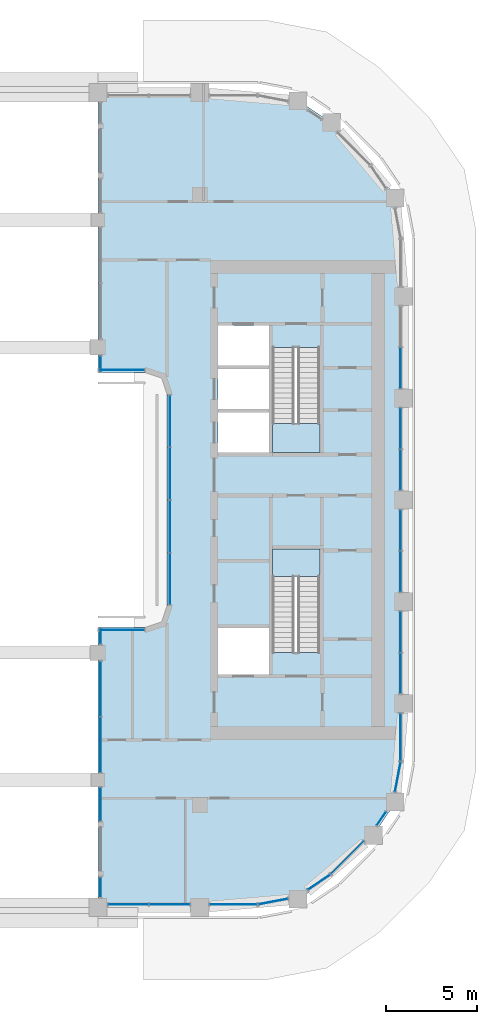
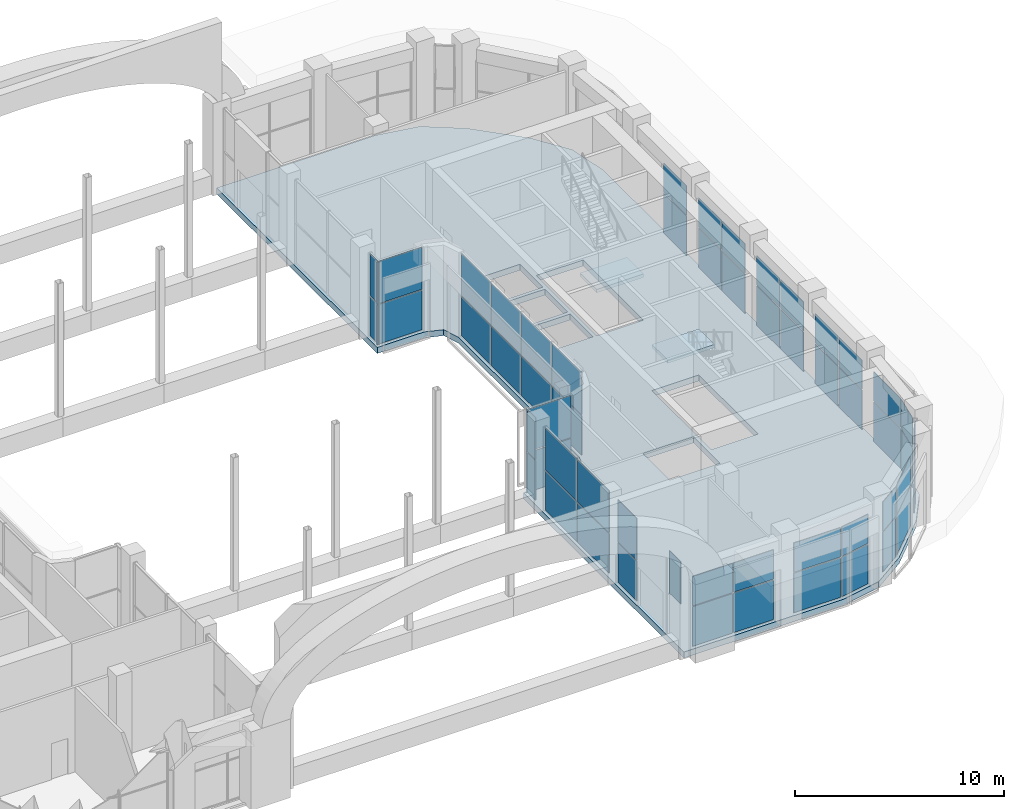
# One storey, part 13 of 28: 55 plates, 3 slabs, 22 elements without a shape of their own.
"""IFC4 building model written with IfcOpenShell, lengths in metres."""

from ifc_helpers import new_model, si_unit, direction, frame, origin, origin_2d, place, context, subcontext, project, spatial, polyline, rectangle, outline, extrude, material, layer, layer_set, type_object, element, aggregate, save


model = new_model("IFC4")

# Units and contexts
model_context = context("Model", 3, precision=1e-05, world=origin(), true_north=direction((0.0, 1.0)))
body_context = subcontext(model_context, "Body", "Model", "MODEL_VIEW")
ifc_project = project(units=[si_unit("LENGTHUNIT", "METRE"), si_unit("AREAUNIT", "SQUARE_METRE"), si_unit("VOLUMEUNIT", "CUBIC_METRE"), si_unit("PLANEANGLEUNIT", "RADIAN"), si_unit("MASSUNIT", "GRAM", prefix="KILO")], contexts=[model_context])

# Site, building, storey
site_placement = place(None, origin())
site = spatial("IfcSite", under=ifc_project, at=site_placement, CompositionType="ELEMENT")
building_placement = place(site_placement, origin())
building = spatial("IfcBuilding", under=site, at=building_placement, Name="Kiln Ring Residences", CompositionType="ELEMENT")
storey_placement = place(building_placement, frame((0.0, 0.0, 178.10009765625)))
storey = spatial("IfcBuildingStorey", under=building, at=storey_placement, Name="L46", CompositionType="ELEMENT", Elevation=178.10009765625)

# Stair, slab
ifc_material_1 = material(Name="Concrete C40/50", Category="concrete")
stair_type = type_object("IfcStairType", Name="CORE-STAIR", PredefinedType="HALF_TURN_STAIR", material=ifc_material_1)
placement_1 = place(storey_placement, origin())
stair_1 = element("IfcStair", 1, at=placement_1, inside=storey, type_object=stair_type, Name="L46 stair E-STN", PredefinedType="HALF_TURN_STAIR")
ifc_material_2 = material(Name="Concrete C40/50", Category="concrete")
ifc_layer_1 = layer(ifc_material_2, 0.199951171875)
ifc_layer_set_1 = layer_set([ifc_layer_1], Name="CORE-STAIR-LANDING")
slab_type_1 = type_object("IfcSlabType", Name="CORE-STAIR-LANDING", PredefinedType="LANDING", material=ifc_layer_set_1)
placement_2 = place(storey_placement, frame((0.0, 0.0, 2.5)))
slab_1 = element("IfcSlab", 2, at=placement_2, type_object=slab_type_1, Name="E-STN landing 1", PredefinedType="LANDING", context=body_context, shape_type="SweptSolid", body=[
    extrude(outline(polyline([(20.800048828125, 4.199951171875), (20.800048828125, 2.60009765625), (23.39990234375, 2.60009765625), (23.39990234375, 4.199951171875), (20.800048828125, 4.199951171875)])), origin(), (0.0, 0.0, 1.0), 0.199951171875),
])
aggregate(stair_1, [slab_1])

stair_2 = element("IfcStair", 3, at=placement_1, inside=storey, type_object=stair_type, Name="L46 stair E-STS", PredefinedType="HALF_TURN_STAIR")
slab_2 = element("IfcSlab", 4, at=placement_2, type_object=slab_type_1, Name="E-STS landing 1", PredefinedType="LANDING", context=body_context, shape_type="SweptSolid", body=[
    extrude(outline(polyline([(23.39990234375, -4.199951171875), (23.39990234375, -2.699951171875), (20.800048828125, -2.699951171875), (20.800048828125, -4.199951171875), (23.39990234375, -4.199951171875)])), origin(), (0.0, 0.0, 1.0), 0.199951171875),
])
aggregate(stair_2, [slab_2])

# Curtain wall, plates
ifc_material_3 = material(Name="Aluminium and glass", Category="aluminium")
ifc_layer_2 = layer(ifc_material_3, 0.199951171875)
ifc_layer_set_2 = layer_set([ifc_layer_2], Name="CW1 CURTAIN WALL")
curtain_wall_type = type_object("IfcCurtainWallType", Name="CW1 CURTAIN WALL", PredefinedType="NOTDEFINED", material=ifc_layer_set_2)
curtain_wall_1 = element("IfcCurtainWall", 5, at=placement_1, inside=storey, type_object=curtain_wall_type, Name="Curtain wall CW1 L46", PredefinedType="NOTDEFINED")
ifc_material_4 = material(Name="Glass, low-e laminated", Category="glass")
ifc_layer_3 = layer(ifc_material_4, 0.028076171875)
ifc_layer_set_3 = layer_set([ifc_layer_3], Name="CW1 PANEL 28")
plate_type = type_object("IfcPlateType", Name="CW1 PANEL 28", PredefinedType="CURTAIN_PANEL", material=ifc_layer_set_3)
plate_1_placement = place(storey_placement, frame((12.5, -7.14990234375, 0.059814453125), z_axis=(0.0, 0.0, 1.0), x_axis=(-1.0, 0.0, 0.0)))
plate_1 = element("IfcPlate", 6, at=plate_1_placement, type_object=plate_type, Name="CW1 panel 1.1", PredefinedType="CURTAIN_PANEL", context=body_context, shape_type="SweptSolid", body=[
    extrude(rectangle(XDim=2.47998046875, YDim=0.028076171875, at=origin_2d()), origin(), (0.0, 0.0, 1.0), 2.31005859375),
])
plate_2_placement = place(storey_placement, frame((12.5, -7.14990234375, 2.429931640625), z_axis=(0.0, 0.0, 1.0), x_axis=(-1.0, 0.0, 0.0)))
plate_2 = element("IfcPlate", 7, at=plate_2_placement, type_object=plate_type, Name="CW1 panel 1.2", PredefinedType="CURTAIN_PANEL", context=body_context, shape_type="SweptSolid", body=[
    extrude(rectangle(XDim=2.47998046875, YDim=0.028076171875, at=origin_2d()), origin(), (0.0, 0.0, 1.0), 2.4599609375),
])
aggregate(curtain_wall_1, [plate_1, plate_2])

curtain_wall_2 = element("IfcCurtainWall", 8, at=placement_1, inside=storey, type_object=curtain_wall_type, Name="Curtain wall CW1 L46", PredefinedType="NOTDEFINED")
plate_3_placement = place(storey_placement, frame((11.35009765625, -7.487548828125, 0.059814453125), z_axis=(0.0, 0.0, 1.0), x_axis=(0.0, -1.0, 0.0)))
plate_3 = element("IfcPlate", 9, at=plate_3_placement, type_object=plate_type, Name="CW1 panel 1.1", PredefinedType="CURTAIN_PANEL", context=body_context, shape_type="SweptSolid", body=[
    extrude(rectangle(XDim=0.85498046875, YDim=0.028076171875, at=origin_2d()), origin(), (0.0, 0.0, 1.0), 2.31005859375),
])
plate_4_placement = place(storey_placement, frame((11.35009765625, -7.487548828125, 2.429931640625), z_axis=(0.0, 0.0, 1.0), x_axis=(0.0, -1.0, 0.0)))
plate_4 = element("IfcPlate", 10, at=plate_4_placement, type_object=plate_type, Name="CW1 panel 1.2", PredefinedType="CURTAIN_PANEL", context=body_context, shape_type="SweptSolid", body=[
    extrude(rectangle(XDim=0.85498046875, YDim=0.028076171875, at=origin_2d()), origin(), (0.0, 0.0, 1.0), 2.4599609375),
])
aggregate(curtain_wall_2, [plate_3, plate_4])

curtain_wall_3 = element("IfcCurtainWall", 11, at=placement_1, inside=storey, type_object=curtain_wall_type, Name="Curtain wall CW1 L46", PredefinedType="NOTDEFINED")
plate_5_placement = place(storey_placement, frame((11.35009765625, -10.389892578125, 0.059814453125), z_axis=(0.0, 0.0, 1.0), x_axis=(0.0, -1.0, 0.0)))
plate_5 = element("IfcPlate", 12, at=plate_5_placement, type_object=plate_type, Name="CW1 panel 1.1", PredefinedType="CURTAIN_PANEL", context=body_context, shape_type="SweptSolid", body=[
    extrude(rectangle(XDim=3.010009765625, YDim=0.028076171875, at=origin_2d()), origin(), (0.0, 0.0, 1.0), 2.31005859375),
])
plate_6_placement = place(storey_placement, frame((11.35009765625, -10.389892578125, 2.429931640625), z_axis=(0.0, 0.0, 1.0), x_axis=(0.0, -1.0, 0.0)))
plate_6 = element("IfcPlate", 13, at=plate_6_placement, type_object=plate_type, Name="CW1 panel 1.2", PredefinedType="CURTAIN_PANEL", context=body_context, shape_type="SweptSolid", body=[
    extrude(rectangle(XDim=3.010009765625, YDim=0.028076171875, at=origin_2d()), origin(), (0.0, 0.0, 1.0), 2.4599609375),
])
plate_7_placement = place(storey_placement, frame((11.35009765625, -13.4599609375, 0.059814453125), z_axis=(0.0, 0.0, 1.0), x_axis=(0.0, -1.0, 0.0)))
plate_7 = element("IfcPlate", 14, at=plate_7_placement, type_object=plate_type, Name="CW1 panel 2.1", PredefinedType="CURTAIN_PANEL", context=body_context, shape_type="SweptSolid", body=[
    extrude(rectangle(XDim=3.010009765625, YDim=0.028076171875, at=origin_2d()), origin(), (0.0, 0.0, 1.0), 2.31005859375),
])
plate_8_placement = place(storey_placement, frame((11.35009765625, -13.4599609375, 2.429931640625), z_axis=(0.0, 0.0, 1.0), x_axis=(0.0, -1.0, 0.0)))
plate_8 = element("IfcPlate", 15, at=plate_8_placement, type_object=plate_type, Name="CW1 panel 2.2", PredefinedType="CURTAIN_PANEL", context=body_context, shape_type="SweptSolid", body=[
    extrude(rectangle(XDim=3.010009765625, YDim=0.028076171875, at=origin_2d()), origin(), (0.0, 0.0, 1.0), 2.4599609375),
])
aggregate(curtain_wall_3, [plate_5, plate_6, plate_7, plate_8])

curtain_wall_4 = element("IfcCurtainWall", 16, at=placement_1, inside=storey, type_object=curtain_wall_type, Name="Curtain wall CW1 L46", PredefinedType="NOTDEFINED")
plate_9_placement = place(storey_placement, frame((11.35009765625, -16.737548828125, 0.059814453125), z_axis=(0.0, 0.0, 1.0), x_axis=(0.0, -1.0, 0.0)))
plate_9 = element("IfcPlate", 17, at=plate_9_placement, type_object=plate_type, Name="CW1 panel 1.1", PredefinedType="CURTAIN_PANEL", context=body_context, shape_type="SweptSolid", body=[
    extrude(rectangle(XDim=1.804931640625, YDim=0.028076171875, at=origin_2d()), origin(), (0.0, 0.0, 1.0), 2.31005859375),
])
plate_10_placement = place(storey_placement, frame((11.35009765625, -16.737548828125, 2.429931640625), z_axis=(0.0, 0.0, 1.0), x_axis=(0.0, -1.0, 0.0)))
plate_10 = element("IfcPlate", 18, at=plate_10_placement, type_object=plate_type, Name="CW1 panel 1.2", PredefinedType="CURTAIN_PANEL", context=body_context, shape_type="SweptSolid", body=[
    extrude(rectangle(XDim=1.804931640625, YDim=0.028076171875, at=origin_2d()), origin(), (0.0, 0.0, 1.0), 2.4599609375),
])
aggregate(curtain_wall_4, [plate_9, plate_10])

# Curtain wall, plate
curtain_wall_5 = element("IfcCurtainWall", 19, at=placement_1, inside=storey, type_object=curtain_wall_type, Name="Curtain wall CW1 L46", PredefinedType="NOTDEFINED")
plate_11_placement = place(storey_placement, frame((11.35009765625, -21.300048828125, 2.429931640625), z_axis=(0.0, 0.0, 1.0), x_axis=(0.0, -1.0, 0.0)))
plate_11 = element("IfcPlate", 20, at=plate_11_placement, type_object=plate_type, Name="CW1 panel 1.2", PredefinedType="CURTAIN_PANEL", context=body_context, shape_type="SweptSolid", body=[
    extrude(rectangle(XDim=1.080078125, YDim=0.028076171875, at=origin_2d()), origin(), (0.0, 0.0, 1.0), 2.4599609375),
])
aggregate(curtain_wall_5, [plate_11])

# Curtain wall, plates
curtain_wall_6 = element("IfcCurtainWall", 21, at=placement_1, inside=storey, type_object=curtain_wall_type, Name="Curtain wall CW1 L46", PredefinedType="NOTDEFINED")
plate_12_placement = place(storey_placement, frame((12.864990234375, -22.25, 0.059814453125), z_axis=(0.0, 0.0, 1.0), x_axis=(1.0, 0.0, 0.0)))
plate_12 = element("IfcPlate", 22, at=plate_12_placement, type_object=plate_type, Name="CW1 panel 1.1", PredefinedType="CURTAIN_PANEL", context=body_context, shape_type="SweptSolid", body=[
    extrude(rectangle(XDim=2.2099609375, YDim=0.028076171875, at=origin_2d()), origin(), (0.0, 0.0, 1.0), 2.31005859375),
])
plate_13_placement = place(storey_placement, frame((12.864990234375, -22.25, 2.429931640625), z_axis=(0.0, 0.0, 1.0), x_axis=(1.0, 0.0, 0.0)))
plate_13 = element("IfcPlate", 23, at=plate_13_placement, type_object=plate_type, Name="CW1 panel 1.2", PredefinedType="CURTAIN_PANEL", context=body_context, shape_type="SweptSolid", body=[
    extrude(rectangle(XDim=2.2099609375, YDim=0.028076171875, at=origin_2d()), origin(), (0.0, 0.0, 1.0), 1.7099609375),
])
plate_14_placement = place(storey_placement, frame((15.135009765625, -22.25, 0.059814453125), z_axis=(0.0, 0.0, 1.0), x_axis=(1.0, 0.0, 0.0)))
plate_14 = element("IfcPlate", 24, at=plate_14_placement, type_object=plate_type, Name="CW1 panel 2.1", PredefinedType="CURTAIN_PANEL", context=body_context, shape_type="SweptSolid", body=[
    extrude(rectangle(XDim=2.2099609375, YDim=0.028076171875, at=origin_2d()), origin(), (0.0, 0.0, 1.0), 2.31005859375),
])
plate_15_placement = place(storey_placement, frame((15.135009765625, -22.25, 2.429931640625), z_axis=(0.0, 0.0, 1.0), x_axis=(1.0, 0.0, 0.0)))
plate_15 = element("IfcPlate", 25, at=plate_15_placement, type_object=plate_type, Name="CW1 panel 2.2", PredefinedType="CURTAIN_PANEL", context=body_context, shape_type="SweptSolid", body=[
    extrude(rectangle(XDim=2.2099609375, YDim=0.028076171875, at=origin_2d()), origin(), (0.0, 0.0, 1.0), 1.7099609375),
])
aggregate(curtain_wall_6, [plate_12, plate_13, plate_14, plate_15])

curtain_wall_7 = element("IfcCurtainWall", 26, at=placement_1, inside=storey, type_object=curtain_wall_type, Name="Curtain wall CW1 L46", PredefinedType="NOTDEFINED")
plate_16_placement = place(storey_placement, frame((18.64990234375, -22.25, 0.059814453125), z_axis=(0.0, 0.0, 1.0), x_axis=(1.0, 0.0, 0.0)))
plate_16 = element("IfcPlate", 27, at=plate_16_placement, type_object=plate_type, Name="CW1 panel 1.1", PredefinedType="CURTAIN_PANEL", context=body_context, shape_type="SweptSolid", body=[
    extrude(rectangle(XDim=2.580078125, YDim=0.028076171875, at=origin_2d()), origin(), (0.0, 0.0, 1.0), 2.31005859375),
])
plate_17_placement = place(storey_placement, frame((18.64990234375, -22.25, 2.429931640625), z_axis=(0.0, 0.0, 1.0), x_axis=(1.0, 0.0, 0.0)))
plate_17 = element("IfcPlate", 28, at=plate_17_placement, type_object=plate_type, Name="CW1 panel 1.2", PredefinedType="CURTAIN_PANEL", context=body_context, shape_type="SweptSolid", body=[
    extrude(rectangle(XDim=2.580078125, YDim=0.028076171875, at=origin_2d()), origin(), (0.0, 0.0, 1.0), 1.7099609375),
])
aggregate(curtain_wall_7, [plate_16, plate_17])

curtain_wall_8 = element("IfcCurtainWall", 29, at=placement_1, inside=storey, type_object=curtain_wall_type, Name="Curtain wall CW1 L46", PredefinedType="NOTDEFINED")
plate_18_placement = place(storey_placement, frame((20.83447265625, -22.088134765625, 0.059814453125), z_axis=(0.0, 0.0, 1.0), x_axis=(0.98229025781, 0.187365550227, 0.0)))
plate_18 = element("IfcPlate", 30, at=plate_18_placement, type_object=plate_type, Name="CW1 panel 1.1", PredefinedType="CURTAIN_PANEL", context=body_context, shape_type="SweptSolid", body=[
    extrude(rectangle(XDim=1.63623046875, YDim=0.028076171875, at=origin_2d()), origin(), (0.0, 0.0, 1.0), 2.31005859375),
])
plate_19_placement = place(storey_placement, frame((20.83447265625, -22.088134765625, 2.429931640625), z_axis=(0.0, 0.0, 1.0), x_axis=(0.98229025781, 0.187365550227, 0.0)))
plate_19 = element("IfcPlate", 31, at=plate_19_placement, type_object=plate_type, Name="CW1 panel 1.2", PredefinedType="CURTAIN_PANEL", context=body_context, shape_type="SweptSolid", body=[
    extrude(rectangle(XDim=1.63623046875, YDim=0.028076171875, at=origin_2d()), origin(), (0.0, 0.0, 1.0), 1.7099609375),
])
aggregate(curtain_wall_8, [plate_18, plate_19])

curtain_wall_9 = element("IfcCurtainWall", 32, at=placement_1, inside=storey, type_object=curtain_wall_type, Name="Curtain wall CW1 L46", PredefinedType="NOTDEFINED")
plate_20_placement = place(storey_placement, frame((23.36083984375, -21.02197265625, 0.059814453125), z_axis=(0.0, 0.0, 1.0), x_axis=(0.827071553399, 0.562096651438, 0.0)))
plate_20 = element("IfcPlate", 33, at=plate_20_placement, type_object=plate_type, Name="CW1 panel 1.1", PredefinedType="CURTAIN_PANEL", context=body_context, shape_type="SweptSolid", body=[
    extrude(rectangle(XDim=1.456787109375, YDim=0.028076171875, at=origin_2d()), origin(), (0.0, 0.0, 1.0), 2.31005859375),
])
plate_21_placement = place(storey_placement, frame((23.36083984375, -21.02197265625, 2.429931640625), z_axis=(0.0, 0.0, 1.0), x_axis=(0.827071553399, 0.562096651438, 0.0)))
plate_21 = element("IfcPlate", 34, at=plate_21_placement, type_object=plate_type, Name="CW1 panel 1.2", PredefinedType="CURTAIN_PANEL", context=body_context, shape_type="SweptSolid", body=[
    extrude(rectangle(XDim=1.456787109375, YDim=0.028076171875, at=origin_2d()), origin(), (0.0, 0.0, 1.0), 1.7099609375),
])
aggregate(curtain_wall_9, [plate_20, plate_21])

curtain_wall_10 = element("IfcCurtainWall", 35, at=placement_1, inside=storey, type_object=curtain_wall_type, Name="Curtain wall CW1 L46", PredefinedType="NOTDEFINED")
plate_22_placement = place(storey_placement, frame((24.92529296875, -19.662353515625, 0.059814453125), z_axis=(0.0, 0.0, 1.0), x_axis=(0.707106781187, 0.707106781187, 0.0)))
plate_22 = element("IfcPlate", 36, at=plate_22_placement, type_object=plate_type, Name="CW1 panel 1.1", PredefinedType="CURTAIN_PANEL", context=body_context, shape_type="SweptSolid", body=[
    extrude(rectangle(XDim=2.52294921875, YDim=0.028076171875, at=origin_2d()), origin(), (0.0, 0.0, 1.0), 2.31005859375),
])
plate_23_placement = place(storey_placement, frame((24.92529296875, -19.662353515625, 2.429931640625), z_axis=(0.0, 0.0, 1.0), x_axis=(0.707106781187, 0.707106781187, 0.0)))
plate_23 = element("IfcPlate", 37, at=plate_23_placement, type_object=plate_type, Name="CW1 panel 1.2", PredefinedType="CURTAIN_PANEL", context=body_context, shape_type="SweptSolid", body=[
    extrude(rectangle(XDim=2.52294921875, YDim=0.028076171875, at=origin_2d()), origin(), (0.0, 0.0, 1.0), 1.7099609375),
])
aggregate(curtain_wall_10, [plate_22, plate_23])

curtain_wall_11 = element("IfcCurtainWall", 38, at=placement_1, inside=storey, type_object=curtain_wall_type, Name="Curtain wall CW1 L46", PredefinedType="NOTDEFINED")
plate_24_placement = place(storey_placement, frame((26.78466796875, -17.521240234375, 0.059814453125), z_axis=(0.0, 0.0, 1.0), x_axis=(0.562096651423, 0.827071553409, 0.0)))
plate_24 = element("IfcPlate", 39, at=plate_24_placement, type_object=plate_type, Name="CW1 panel 1.1", PredefinedType="CURTAIN_PANEL", context=body_context, shape_type="SweptSolid", body=[
    extrude(rectangle(XDim=0.877685546875, YDim=0.028076171875, at=origin_2d()), origin(), (0.0, 0.0, 1.0), 2.31005859375),
])
plate_25_placement = place(storey_placement, frame((26.78466796875, -17.521240234375, 2.429931640625), z_axis=(0.0, 0.0, 1.0), x_axis=(0.562096651423, 0.827071553409, 0.0)))
plate_25 = element("IfcPlate", 40, at=plate_25_placement, type_object=plate_type, Name="CW1 panel 1.2", PredefinedType="CURTAIN_PANEL", context=body_context, shape_type="SweptSolid", body=[
    extrude(rectangle(XDim=0.877685546875, YDim=0.028076171875, at=origin_2d()), origin(), (0.0, 0.0, 1.0), 2.4599609375),
])
aggregate(curtain_wall_11, [plate_24, plate_25])

curtain_wall_12 = element("IfcCurtainWall", 41, at=placement_1, inside=storey, type_object=curtain_wall_type, Name="Curtain wall CW1 L46", PredefinedType="NOTDEFINED")
plate_26_placement = place(storey_placement, frame((27.688232421875, -15.234375, 0.059814453125), z_axis=(0.0, 0.0, 1.0), x_axis=(0.187365550227, 0.98229025781, 0.0)))
plate_26 = element("IfcPlate", 42, at=plate_26_placement, type_object=plate_type, Name="CW1 panel 1.1", PredefinedType="CURTAIN_PANEL", context=body_context, shape_type="SweptSolid", body=[
    extrude(rectangle(XDim=1.63623046875, YDim=0.028076171875, at=origin_2d()), origin(), (0.0, 0.0, 1.0), 2.31005859375),
])
plate_27_placement = place(storey_placement, frame((27.688232421875, -15.234375, 2.429931640625), z_axis=(0.0, 0.0, 1.0), x_axis=(0.187365550227, 0.98229025781, 0.0)))
plate_27 = element("IfcPlate", 43, at=plate_27_placement, type_object=plate_type, Name="CW1 panel 1.2", PredefinedType="CURTAIN_PANEL", context=body_context, shape_type="SweptSolid", body=[
    extrude(rectangle(XDim=1.63623046875, YDim=0.028076171875, at=origin_2d()), origin(), (0.0, 0.0, 1.0), 1.7099609375),
])
aggregate(curtain_wall_12, [plate_26, plate_27])

curtain_wall_13 = element("IfcCurtainWall", 44, at=placement_1, inside=storey, type_object=curtain_wall_type, Name="Curtain wall CW1 L46", PredefinedType="NOTDEFINED")
plate_28_placement = place(storey_placement, frame((27.85009765625, -13.050048828125, 0.059814453125), z_axis=(0.0, 0.0, 1.0), x_axis=(0.0, 1.0, 0.0)))
plate_28 = element("IfcPlate", 45, at=plate_28_placement, type_object=plate_type, Name="CW1 panel 1.1", PredefinedType="CURTAIN_PANEL", context=body_context, shape_type="SweptSolid", body=[
    extrude(rectangle(XDim=2.580078125, YDim=0.028076171875, at=origin_2d()), origin(), (0.0, 0.0, 1.0), 2.31005859375),
])
plate_29_placement = place(storey_placement, frame((27.85009765625, -13.050048828125, 2.429931640625), z_axis=(0.0, 0.0, 1.0), x_axis=(0.0, 1.0, 0.0)))
plate_29 = element("IfcPlate", 46, at=plate_29_placement, type_object=plate_type, Name="CW1 panel 1.2", PredefinedType="CURTAIN_PANEL", context=body_context, shape_type="SweptSolid", body=[
    extrude(rectangle(XDim=2.580078125, YDim=0.028076171875, at=origin_2d()), origin(), (0.0, 0.0, 1.0), 1.7099609375),
])
aggregate(curtain_wall_13, [plate_28, plate_29])

curtain_wall_14 = element("IfcCurtainWall", 47, at=placement_1, inside=storey, type_object=curtain_wall_type, Name="Curtain wall CW1 L46", PredefinedType="NOTDEFINED")
plate_30_placement = place(storey_placement, frame((27.85009765625, -9.534912109375, 0.059814453125), z_axis=(0.0, 0.0, 1.0), x_axis=(0.0, 1.0, 0.0)))
plate_30 = element("IfcPlate", 48, at=plate_30_placement, type_object=plate_type, Name="CW1 panel 1.1", PredefinedType="CURTAIN_PANEL", context=body_context, shape_type="SweptSolid", body=[
    extrude(rectangle(XDim=2.2099609375, YDim=0.028076171875, at=origin_2d()), origin(), (0.0, 0.0, 1.0), 2.31005859375),
])
plate_31_placement = place(storey_placement, frame((27.85009765625, -9.534912109375, 2.429931640625), z_axis=(0.0, 0.0, 1.0), x_axis=(0.0, 1.0, 0.0)))
plate_31 = element("IfcPlate", 49, at=plate_31_placement, type_object=plate_type, Name="CW1 panel 1.2", PredefinedType="CURTAIN_PANEL", context=body_context, shape_type="SweptSolid", body=[
    extrude(rectangle(XDim=2.2099609375, YDim=0.028076171875, at=origin_2d()), origin(), (0.0, 0.0, 1.0), 1.7099609375),
])
plate_32_placement = place(storey_placement, frame((27.85009765625, -7.264892578125, 0.059814453125), z_axis=(0.0, 0.0, 1.0), x_axis=(0.0, 1.0, 0.0)))
plate_32 = element("IfcPlate", 50, at=plate_32_placement, type_object=plate_type, Name="CW1 panel 2.1", PredefinedType="CURTAIN_PANEL", context=body_context, shape_type="SweptSolid", body=[
    extrude(rectangle(XDim=2.2099609375, YDim=0.028076171875, at=origin_2d()), origin(), (0.0, 0.0, 1.0), 2.31005859375),
])
plate_33_placement = place(storey_placement, frame((27.85009765625, -7.264892578125, 2.429931640625), z_axis=(0.0, 0.0, 1.0), x_axis=(0.0, 1.0, 0.0)))
plate_33 = element("IfcPlate", 51, at=plate_33_placement, type_object=plate_type, Name="CW1 panel 2.2", PredefinedType="CURTAIN_PANEL", context=body_context, shape_type="SweptSolid", body=[
    extrude(rectangle(XDim=2.2099609375, YDim=0.028076171875, at=origin_2d()), origin(), (0.0, 0.0, 1.0), 1.7099609375),
])
aggregate(curtain_wall_14, [plate_30, plate_31, plate_32, plate_33])

curtain_wall_15 = element("IfcCurtainWall", 52, at=placement_1, inside=storey, type_object=curtain_wall_type, Name="Curtain wall CW1 L46", PredefinedType="NOTDEFINED")
plate_34_placement = place(storey_placement, frame((27.85009765625, -3.93505859375, 0.059814453125), z_axis=(0.0, 0.0, 1.0), x_axis=(0.0, 1.0, 0.0)))
plate_34 = element("IfcPlate", 53, at=plate_34_placement, type_object=plate_type, Name="CW1 panel 1.1", PredefinedType="CURTAIN_PANEL", context=body_context, shape_type="SweptSolid", body=[
    extrude(rectangle(XDim=2.2099609375, YDim=0.028076171875, at=origin_2d()), origin(), (0.0, 0.0, 1.0), 2.31005859375),
])
plate_35_placement = place(storey_placement, frame((27.85009765625, -3.93505859375, 2.429931640625), z_axis=(0.0, 0.0, 1.0), x_axis=(0.0, 1.0, 0.0)))
plate_35 = element("IfcPlate", 54, at=plate_35_placement, type_object=plate_type, Name="CW1 panel 1.2", PredefinedType="CURTAIN_PANEL", context=body_context, shape_type="SweptSolid", body=[
    extrude(rectangle(XDim=2.2099609375, YDim=0.028076171875, at=origin_2d()), origin(), (0.0, 0.0, 1.0), 1.7099609375),
])
plate_36_placement = place(storey_placement, frame((27.85009765625, -1.6650390625, 0.059814453125), z_axis=(0.0, 0.0, 1.0), x_axis=(0.0, 1.0, 0.0)))
plate_36 = element("IfcPlate", 55, at=plate_36_placement, type_object=plate_type, Name="CW1 panel 2.1", PredefinedType="CURTAIN_PANEL", context=body_context, shape_type="SweptSolid", body=[
    extrude(rectangle(XDim=2.2099609375, YDim=0.028076171875, at=origin_2d()), origin(), (0.0, 0.0, 1.0), 2.31005859375),
])
plate_37_placement = place(storey_placement, frame((27.85009765625, -1.6650390625, 2.429931640625), z_axis=(0.0, 0.0, 1.0), x_axis=(0.0, 1.0, 0.0)))
plate_37 = element("IfcPlate", 56, at=plate_37_placement, type_object=plate_type, Name="CW1 panel 2.2", PredefinedType="CURTAIN_PANEL", context=body_context, shape_type="SweptSolid", body=[
    extrude(rectangle(XDim=2.2099609375, YDim=0.028076171875, at=origin_2d()), origin(), (0.0, 0.0, 1.0), 1.7099609375),
])
aggregate(curtain_wall_15, [plate_34, plate_35, plate_36, plate_37])

curtain_wall_16 = element("IfcCurtainWall", 57, at=placement_1, inside=storey, type_object=curtain_wall_type, Name="Curtain wall CW1 L46", PredefinedType="NOTDEFINED")
plate_38_placement = place(storey_placement, frame((27.85009765625, 1.6650390625, 0.059814453125), z_axis=(0.0, 0.0, 1.0), x_axis=(0.0, 1.0, 0.0)))
plate_38 = element("IfcPlate", 58, at=plate_38_placement, type_object=plate_type, Name="CW1 panel 1.1", PredefinedType="CURTAIN_PANEL", context=body_context, shape_type="SweptSolid", body=[
    extrude(rectangle(XDim=2.2099609375, YDim=0.028076171875, at=origin_2d()), origin(), (0.0, 0.0, 1.0), 2.31005859375),
])
plate_39_placement = place(storey_placement, frame((27.85009765625, 1.6650390625, 2.429931640625), z_axis=(0.0, 0.0, 1.0), x_axis=(0.0, 1.0, 0.0)))
plate_39 = element("IfcPlate", 59, at=plate_39_placement, type_object=plate_type, Name="CW1 panel 1.2", PredefinedType="CURTAIN_PANEL", context=body_context, shape_type="SweptSolid", body=[
    extrude(rectangle(XDim=2.2099609375, YDim=0.028076171875, at=origin_2d()), origin(), (0.0, 0.0, 1.0), 1.7099609375),
])
plate_40_placement = place(storey_placement, frame((27.85009765625, 3.93505859375, 0.059814453125), z_axis=(0.0, 0.0, 1.0), x_axis=(0.0, 1.0, 0.0)))
plate_40 = element("IfcPlate", 60, at=plate_40_placement, type_object=plate_type, Name="CW1 panel 2.1", PredefinedType="CURTAIN_PANEL", context=body_context, shape_type="SweptSolid", body=[
    extrude(rectangle(XDim=2.2099609375, YDim=0.028076171875, at=origin_2d()), origin(), (0.0, 0.0, 1.0), 2.31005859375),
])
plate_41_placement = place(storey_placement, frame((27.85009765625, 3.93505859375, 2.429931640625), z_axis=(0.0, 0.0, 1.0), x_axis=(0.0, 1.0, 0.0)))
plate_41 = element("IfcPlate", 61, at=plate_41_placement, type_object=plate_type, Name="CW1 panel 2.2", PredefinedType="CURTAIN_PANEL", context=body_context, shape_type="SweptSolid", body=[
    extrude(rectangle(XDim=2.2099609375, YDim=0.028076171875, at=origin_2d()), origin(), (0.0, 0.0, 1.0), 1.7099609375),
])
aggregate(curtain_wall_16, [plate_38, plate_39, plate_40, plate_41])

curtain_wall_17 = element("IfcCurtainWall", 62, at=placement_1, inside=storey, type_object=curtain_wall_type, Name="Curtain wall CW1 L46", PredefinedType="NOTDEFINED")
plate_42_placement = place(storey_placement, frame((27.85009765625, 7.264892578125, 0.059814453125), z_axis=(0.0, 0.0, 1.0), x_axis=(0.0, 1.0, 0.0)))
plate_42 = element("IfcPlate", 63, at=plate_42_placement, type_object=plate_type, Name="CW1 panel 1.1", PredefinedType="CURTAIN_PANEL", context=body_context, shape_type="SweptSolid", body=[
    extrude(rectangle(XDim=2.2099609375, YDim=0.028076171875, at=origin_2d()), origin(), (0.0, 0.0, 1.0), 2.31005859375),
])
plate_43_placement = place(storey_placement, frame((27.85009765625, 7.264892578125, 2.429931640625), z_axis=(0.0, 0.0, 1.0), x_axis=(0.0, 1.0, 0.0)))
plate_43 = element("IfcPlate", 64, at=plate_43_placement, type_object=plate_type, Name="CW1 panel 1.2", PredefinedType="CURTAIN_PANEL", context=body_context, shape_type="SweptSolid", body=[
    extrude(rectangle(XDim=2.2099609375, YDim=0.028076171875, at=origin_2d()), origin(), (0.0, 0.0, 1.0), 1.7099609375),
])
aggregate(curtain_wall_17, [plate_42, plate_43])

curtain_wall_18 = element("IfcCurtainWall", 65, at=placement_1, inside=storey, type_object=curtain_wall_type, Name="Curtain wall CW1 L46", PredefinedType="NOTDEFINED")
plate_44_placement = place(storey_placement, frame((11.35009765625, 7.487548828125, 0.059814453125), z_axis=(0.0, 0.0, 1.0), x_axis=(0.0, -1.0, 0.0)))
plate_44 = element("IfcPlate", 66, at=plate_44_placement, type_object=plate_type, Name="CW1 panel 1.1", PredefinedType="CURTAIN_PANEL", context=body_context, shape_type="SweptSolid", body=[
    extrude(rectangle(XDim=0.85498046875, YDim=0.028076171875, at=origin_2d()), origin(), (0.0, 0.0, 1.0), 2.31005859375),
])
plate_45_placement = place(storey_placement, frame((11.35009765625, 7.487548828125, 2.429931640625), z_axis=(0.0, 0.0, 1.0), x_axis=(0.0, -1.0, 0.0)))
plate_45 = element("IfcPlate", 67, at=plate_45_placement, type_object=plate_type, Name="CW1 panel 1.2", PredefinedType="CURTAIN_PANEL", context=body_context, shape_type="SweptSolid", body=[
    extrude(rectangle(XDim=0.85498046875, YDim=0.028076171875, at=origin_2d()), origin(), (0.0, 0.0, 1.0), 2.4599609375),
])
aggregate(curtain_wall_18, [plate_44, plate_45])

curtain_wall_19 = element("IfcCurtainWall", 68, at=placement_1, inside=storey, type_object=curtain_wall_type, Name="Curtain wall CW1 L46", PredefinedType="NOTDEFINED")
plate_46_placement = place(storey_placement, frame((12.5, 7.14990234375, 0.059814453125), z_axis=(0.0, 0.0, 1.0), x_axis=(1.0, 0.0, 0.0)))
plate_46 = element("IfcPlate", 69, at=plate_46_placement, type_object=plate_type, Name="CW1 panel 1.1", PredefinedType="CURTAIN_PANEL", context=body_context, shape_type="SweptSolid", body=[
    extrude(rectangle(XDim=2.47998046875, YDim=0.028076171875, at=origin_2d()), origin(), (0.0, 0.0, 1.0), 2.31005859375),
])
plate_47_placement = place(storey_placement, frame((12.5, 7.14990234375, 2.429931640625), z_axis=(0.0, 0.0, 1.0), x_axis=(1.0, 0.0, 0.0)))
plate_47 = element("IfcPlate", 70, at=plate_47_placement, type_object=plate_type, Name="CW1 panel 1.2", PredefinedType="CURTAIN_PANEL", context=body_context, shape_type="SweptSolid", body=[
    extrude(rectangle(XDim=2.47998046875, YDim=0.028076171875, at=origin_2d()), origin(), (0.0, 0.0, 1.0), 2.4599609375),
])
aggregate(curtain_wall_19, [plate_46, plate_47])

curtain_wall_20 = element("IfcCurtainWall", 71, at=placement_1, inside=storey, type_object=curtain_wall_type, Name="Curtain wall CW1 L46", PredefinedType="NOTDEFINED")
plate_48_placement = place(storey_placement, frame((15.14990234375, 4.3349609375, 0.059814453125), z_axis=(0.0, 0.0, 1.0), x_axis=(0.0, -1.0, 0.0)))
plate_48 = element("IfcPlate", 72, at=plate_48_placement, type_object=plate_type, Name="CW1 panel 1.1", PredefinedType="CURTAIN_PANEL", context=body_context, shape_type="SweptSolid", body=[
    extrude(rectangle(XDim=2.81005859375, YDim=0.028076171875, at=origin_2d()), origin(), (0.0, 0.0, 1.0), 2.31005859375),
])
plate_49_placement = place(storey_placement, frame((15.14990234375, 4.3349609375, 2.429931640625), z_axis=(0.0, 0.0, 1.0), x_axis=(0.0, -1.0, 0.0)))
plate_49 = element("IfcPlate", 73, at=plate_49_placement, type_object=plate_type, Name="CW1 panel 1.2", PredefinedType="CURTAIN_PANEL", context=body_context, shape_type="SweptSolid", body=[
    extrude(rectangle(XDim=2.81005859375, YDim=0.028076171875, at=origin_2d()), origin(), (0.0, 0.0, 1.0), 2.4599609375),
])
plate_50_placement = place(storey_placement, frame((15.14990234375, 1.449951171875, 0.059814453125), z_axis=(0.0, 0.0, 1.0), x_axis=(0.0, -1.0, 0.0)))
plate_50 = element("IfcPlate", 74, at=plate_50_placement, type_object=plate_type, Name="CW1 panel 2.1", PredefinedType="CURTAIN_PANEL", context=body_context, shape_type="SweptSolid", body=[
    extrude(rectangle(XDim=2.840087890625, YDim=0.028076171875, at=origin_2d()), origin(), (0.0, 0.0, 1.0), 2.31005859375),
])
plate_51_placement = place(storey_placement, frame((15.14990234375, 1.449951171875, 2.429931640625), z_axis=(0.0, 0.0, 1.0), x_axis=(0.0, -1.0, 0.0)))
plate_51 = element("IfcPlate", 75, at=plate_51_placement, type_object=plate_type, Name="CW1 panel 2.2", PredefinedType="CURTAIN_PANEL", context=body_context, shape_type="SweptSolid", body=[
    extrude(rectangle(XDim=2.840087890625, YDim=0.028076171875, at=origin_2d()), origin(), (0.0, 0.0, 1.0), 2.4599609375),
])
plate_52_placement = place(storey_placement, frame((15.14990234375, -1.449951171875, 0.059814453125), z_axis=(0.0, 0.0, 1.0), x_axis=(0.0, -1.0, 0.0)))
plate_52 = element("IfcPlate", 76, at=plate_52_placement, type_object=plate_type, Name="CW1 panel 3.1", PredefinedType="CURTAIN_PANEL", context=body_context, shape_type="SweptSolid", body=[
    extrude(rectangle(XDim=2.840087890625, YDim=0.028076171875, at=origin_2d()), origin(), (0.0, 0.0, 1.0), 2.31005859375),
])
plate_53_placement = place(storey_placement, frame((15.14990234375, -1.449951171875, 2.429931640625), z_axis=(0.0, 0.0, 1.0), x_axis=(0.0, -1.0, 0.0)))
plate_53 = element("IfcPlate", 77, at=plate_53_placement, type_object=plate_type, Name="CW1 panel 3.2", PredefinedType="CURTAIN_PANEL", context=body_context, shape_type="SweptSolid", body=[
    extrude(rectangle(XDim=2.840087890625, YDim=0.028076171875, at=origin_2d()), origin(), (0.0, 0.0, 1.0), 2.4599609375),
])
plate_54_placement = place(storey_placement, frame((15.14990234375, -4.3349609375, 0.059814453125), z_axis=(0.0, 0.0, 1.0), x_axis=(0.0, -1.0, 0.0)))
plate_54 = element("IfcPlate", 78, at=plate_54_placement, type_object=plate_type, Name="CW1 panel 4.1", PredefinedType="CURTAIN_PANEL", context=body_context, shape_type="SweptSolid", body=[
    extrude(rectangle(XDim=2.81005859375, YDim=0.028076171875, at=origin_2d()), origin(), (0.0, 0.0, 1.0), 2.31005859375),
])
plate_55_placement = place(storey_placement, frame((15.14990234375, -4.3349609375, 2.429931640625), z_axis=(0.0, 0.0, 1.0), x_axis=(0.0, -1.0, 0.0)))
plate_55 = element("IfcPlate", 79, at=plate_55_placement, type_object=plate_type, Name="CW1 panel 4.2", PredefinedType="CURTAIN_PANEL", context=body_context, shape_type="SweptSolid", body=[
    extrude(rectangle(XDim=2.81005859375, YDim=0.028076171875, at=origin_2d()), origin(), (0.0, 0.0, 1.0), 2.4599609375),
])
aggregate(curtain_wall_20, [plate_48, plate_49, plate_50, plate_51, plate_52, plate_53, plate_54, plate_55])

# Slab
ifc_material_5 = material(Name="Concrete C40/50", Category="concrete")
ifc_layer_4 = layer(ifc_material_5, 0.35009765625)
ifc_layer_set_4 = layer_set([ifc_layer_4], Name="Floor slab 350")
slab_type_2 = type_object("IfcSlabType", Name="Floor slab 350", PredefinedType="FLOOR", material=ifc_layer_set_4)
slab_3_placement = place(storey_placement, frame((0.0, 0.0, -0.35009765625)))
element("IfcSlab", 80, at=slab_3_placement, inside=storey, type_object=slab_type_2, Name="Floor slab L46 2", PredefinedType="FLOOR", context=body_context, shape_type="SweptSolid", body=[
    extrude(outline(polyline([(13.800048828125, -7.0), (11.199951171875, -7.0), (11.199951171875, -22.39990234375), (20.0, -22.39990234375), (22.224365234375, -21.975830078125), (24.09716796875, -20.702880859375), (26.302978515625, -18.4970703125), (27.57568359375, -16.624267578125), (28.0, -14.39990234375), (28.0, 14.39990234375), (27.57568359375, 16.624267578125), (26.302978515625, 18.4970703125), (24.09716796875, 20.702880859375), (22.224365234375, 21.975830078125), (20.0, 22.39990234375), (11.199951171875, 22.39990234375), (11.199951171875, 7.0), (13.800048828125, 7.0), (14.699951171875, 6.699951171875), (15.0, 5.800048828125), (15.0, -5.800048828125), (14.699951171875, -6.699951171875), (13.800048828125, -7.0)]), holes=[polyline([(20.800048828125, -8.39794921875), (20.800048828125, -2.699951171875), (23.39990234375, -2.699951171875), (23.39990234375, -8.39794921875), (20.800048828125, -8.39794921875)]), polyline([(23.39990234375, 2.60009765625), (20.800048828125, 2.60009765625), (20.800048828125, 8.39794921875), (23.39990234375, 8.39794921875), (23.39990234375, 2.60009765625)]), polyline([(17.800048828125, 2.60009765625), (17.800048828125, 4.800048828125), (20.60009765625, 4.800048828125), (20.60009765625, 2.60009765625), (17.800048828125, 2.60009765625)]), polyline([(17.800048828125, 5.0), (17.800048828125, 7.199951171875), (20.60009765625, 7.199951171875), (20.60009765625, 5.0), (17.800048828125, 5.0)]), polyline([(17.800048828125, 7.39990234375), (17.800048828125, 9.60009765625), (20.60009765625, 9.60009765625), (20.60009765625, 7.39990234375), (17.800048828125, 7.39990234375)]), polyline([(20.60009765625, -9.60009765625), (17.800048828125, -9.60009765625), (17.800048828125, -7.050048828125), (20.60009765625, -7.050048828125), (20.60009765625, -9.60009765625)])]), origin(), (0.0, 0.0, 1.0), 0.35009765625),
])

save(model, "model.ifc")
